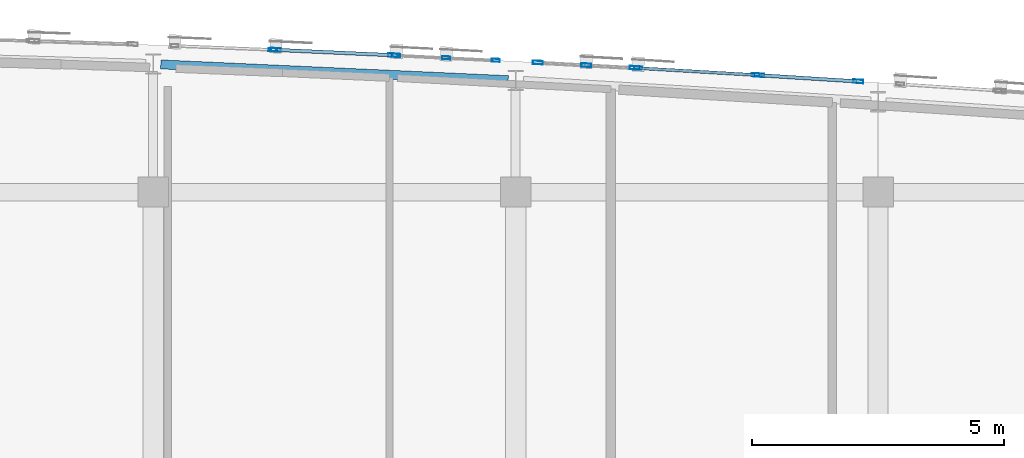
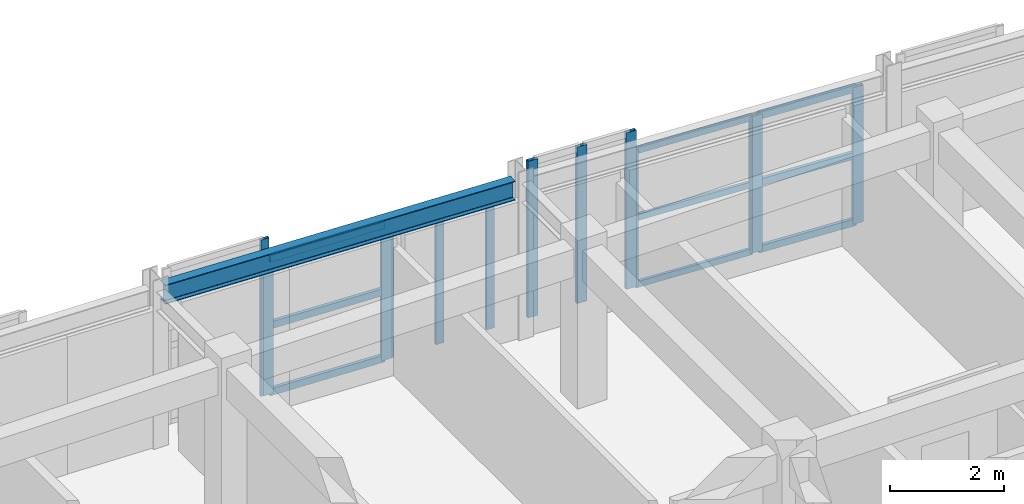
# One storey, part 21 of 48: 22 members, 1 beam, 6 elements without a shape of their own.
"""IFC4 building model written with IfcOpenShell, lengths in metres."""

from ifc_helpers import new_model, si_unit, direction, frame, origin, origin_2d, place, context, subcontext, project, spatial, hollow_rectangle, i_section, extrude, material, layer, layer_set, material_profile, profile_set, type_object, element, aggregate, save


model = new_model("IFC4")

# Units and contexts
model_context = context("Model", 3, precision=1e-05, world=origin(), true_north=direction((0.0, 1.0)))
body_context = subcontext(model_context, "Body", "Model", "MODEL_VIEW")
ifc_project = project(units=[si_unit("LENGTHUNIT", "METRE"), si_unit("AREAUNIT", "SQUARE_METRE"), si_unit("VOLUMEUNIT", "CUBIC_METRE"), si_unit("PLANEANGLEUNIT", "RADIAN"), si_unit("MASSUNIT", "GRAM", prefix="KILO")], contexts=[model_context])

# Site, building, storey
site_placement = place(None, origin())
site = spatial("IfcSite", under=ifc_project, at=site_placement, CompositionType="ELEMENT")
building_placement = place(site_placement, origin())
building = spatial("IfcBuilding", under=site, at=building_placement, Name="Carrowvane Square Congress Hotel", CompositionType="ELEMENT")
storey_placement = place(building_placement, frame((0.0, 0.0, 26.39990234375)))
storey = spatial("IfcBuildingStorey", under=building, at=storey_placement, Name="L06", CompositionType="ELEMENT", Elevation=26.39990234375)

# Beam
ifc_material_1 = material(Name="Steel S355", Category="steel")
ifc_material_profile_1 = material_profile(ifc_material_1, i_section(OverallWidth=0.1787109375, OverallDepth=0.409423828125, WebThickness=0.0087890625, FlangeThickness=0.014404296875, FilletRadius=0.01025390625, at=origin_2d()), Name="UKB 406x178x67")
ifc_profile_set_1 = profile_set([ifc_material_profile_1], Name="Steel S355")
beam_type = type_object("IfcBeamType", Name="BM-ST-UKB406", PredefinedType="BEAM", material=ifc_profile_set_1)
beam_placement = place(storey_placement, frame((112.5498046875, 115.937255859375, 3.1455078125), z_axis=(0.998974507316, -0.045276193882, 0.0), x_axis=(0.045276193882, 0.998974507316, 0.0)))
element("IfcBeam", 1, at=beam_placement, inside=storey, type_object=beam_type, Name="L07 curved north spandrel", PredefinedType="BEAM", context=body_context, shape_type="SweptSolid", body=[
    extrude(i_section(OverallWidth=0.1787109375, OverallDepth=0.409423828125, WebThickness=0.0087890625, FlangeThickness=0.014404296875, FilletRadius=0.01025390625, at=origin_2d()), origin(), (0.0, 0.0, 1.0), 6.907470703125),
])

# Curtain wall, member
ifc_material_2 = material(Name="Anodised aluminium", Category="aluminium")
ifc_layer_1 = layer(ifc_material_2, 0.2099609375)
ifc_layer_set_1 = layer_set([ifc_layer_1], Name="Anodised aluminium")
curtain_wall_type_1 = type_object("IfcCurtainWallType", Name="CW-SYS-5", PredefinedType="NOTDEFINED", material=ifc_layer_set_1)
curtain_wall_1_placement = place(storey_placement, origin())
curtain_wall_1 = element("IfcCurtainWall", 2, at=curtain_wall_1_placement, inside=storey, type_object=curtain_wall_type_1, Name="L06 unitised curtain wall 388", PredefinedType="NOTDEFINED")
ifc_material_3 = material(Name="Anodised aluminium", Category="aluminium")
ifc_material_profile_2 = material_profile(ifc_material_3, hollow_rectangle(XDim=0.06005859375, YDim=0.159912109375, WallThickness=0.00390625, at=origin_2d()), Name="CW-ML 60x160x4")
ifc_profile_set_2 = profile_set([ifc_material_profile_2], Name="Anodised aluminium")
member_type_1 = type_object("IfcMemberType", Name="CW-MUL-1", PredefinedType="MULLION", material=ifc_profile_set_2)
member_1_placement = place(storey_placement, frame((114.77001953125, 116.228759765625, 0.0), z_axis=(0.0, 0.0, 1.0), x_axis=(0.040130957403, 0.999194428656, 0.0)))
member_1 = element("IfcMember", 3, at=member_1_placement, type_object=member_type_1, Name="CW-5 mullion 2", PredefinedType="MULLION", context=body_context, shape_type="SweptSolid", body=[
    extrude(hollow_rectangle(XDim=0.06005859375, YDim=0.159912109375, WallThickness=0.00390625, at=origin_2d()), origin(), (0.0, 0.0, 1.0), 3.35009765625),
])
aggregate(curtain_wall_1, [member_1])

# Curtain wall, members
ifc_material_4 = material(Name="Anodised aluminium", Category="aluminium")
ifc_layer_2 = layer(ifc_material_4, 0.23388671875)
ifc_layer_set_2 = layer_set([ifc_layer_2], Name="Anodised aluminium")
curtain_wall_type_2 = type_object("IfcCurtainWallType", Name="CW-SYS-7", PredefinedType="NOTDEFINED", material=ifc_layer_set_2)
curtain_wall_2_placement = place(storey_placement, origin())
curtain_wall_2 = element("IfcCurtainWall", 4, at=curtain_wall_2_placement, inside=storey, type_object=curtain_wall_type_2, Name="L06 unitised curtain wall 390", PredefinedType="NOTDEFINED")
member_2_placement = place(storey_placement, frame((117.22998046875, 116.116943359375, 0.0), z_axis=(0.0, 0.0, 1.0), x_axis=(0.050323791596, 0.998732955299, 0.0)))
member_2 = element("IfcMember", 5, at=member_2_placement, type_object=member_type_1, Name="CW-7 mullion 1", PredefinedType="MULLION", context=body_context, shape_type="SweptSolid", body=[
    extrude(hollow_rectangle(XDim=0.06005859375, YDim=0.159912109375, WallThickness=0.00390625, at=origin_2d()), origin(), (0.0, 0.0, 1.0), 2.92578125),
])
member_3_placement = place(storey_placement, frame((118.2177734375, 116.067138671875, 0.0), z_axis=(0.0, 0.0, 1.0), x_axis=(0.050323791596, 0.998732955299, 0.0)))
member_3 = element("IfcMember", 6, at=member_3_placement, type_object=member_type_1, Name="CW-7 mullion 2", PredefinedType="MULLION", context=body_context, shape_type="SweptSolid", body=[
    extrude(hollow_rectangle(XDim=0.06005859375, YDim=0.159912109375, WallThickness=0.00390625, at=origin_2d()), origin(), (0.0, 0.0, 1.0), 2.92578125),
])
member_4_placement = place(storey_placement, frame((119.20556640625, 116.017578125, 0.0), z_axis=(0.0, 0.0, 1.0), x_axis=(0.050323791596, 0.998732955299, 0.0)))
member_4 = element("IfcMember", 7, at=member_4_placement, type_object=member_type_1, Name="CW-7 mullion 3", PredefinedType="MULLION", context=body_context, shape_type="SweptSolid", body=[
    extrude(hollow_rectangle(XDim=0.06005859375, YDim=0.159912109375, WallThickness=0.00390625, at=origin_2d()), origin(), (0.0, 0.0, 1.0), 2.92578125),
])
aggregate(curtain_wall_2, [member_2, member_3, member_4])

ifc_material_5 = material(Name="Anodised aluminium", Category="aluminium")
ifc_layer_3 = layer(ifc_material_5, 0.162109375)
ifc_layer_set_3 = layer_set([ifc_layer_3], Name="Anodised aluminium")
curtain_wall_type_3 = type_object("IfcCurtainWallType", Name="CW-SYS-1", PredefinedType="NOTDEFINED", material=ifc_layer_set_3)
curtain_wall_3_placement = place(storey_placement, origin())
curtain_wall_3 = element("IfcCurtainWall", 8, at=curtain_wall_3_placement, inside=storey, type_object=curtain_wall_type_3, Name="L06 unitised curtain wall 392", PredefinedType="NOTDEFINED")
member_5_placement = place(storey_placement, frame((122.030029296875, 115.864013671875, 0.0), z_axis=(0.0, 0.0, 1.0), x_axis=(0.058851249486, 0.998266763162, 0.0)))
member_5 = element("IfcMember", 9, at=member_5_placement, type_object=member_type_1, Name="CW-1 mullion 1", PredefinedType="MULLION", context=body_context, shape_type="SweptSolid", body=[
    extrude(hollow_rectangle(XDim=0.06005859375, YDim=0.159912109375, WallThickness=0.00390625, at=origin_2d()), origin(), (0.0, 0.0, 1.0), 2.92578125),
])
member_6_placement = place(storey_placement, frame((124.3701171875, 115.72607421875, 0.0), z_axis=(0.0, 0.0, 1.0), x_axis=(0.058851249486, 0.998266763162, 0.0)))
member_6 = element("IfcMember", 10, at=member_6_placement, type_object=member_type_1, Name="CW-1 mullion 2", PredefinedType="MULLION", context=body_context, shape_type="SweptSolid", body=[
    extrude(hollow_rectangle(XDim=0.06005859375, YDim=0.159912109375, WallThickness=0.00390625, at=origin_2d()), origin(), (0.0, 0.0, 1.0), 2.92578125),
])

ifc_material_6 = material(Name="Anodised aluminium", Category="aluminium")
ifc_layer_4 = layer(ifc_material_6, 0.221923828125)
ifc_layer_set_4 = layer_set([ifc_layer_4], Name="Anodised aluminium")
curtain_wall_type_4 = type_object("IfcCurtainWallType", Name="CW-SYS-6", PredefinedType="NOTDEFINED", material=ifc_layer_set_4)
curtain_wall_4_placement = place(storey_placement, origin())
curtain_wall_4 = element("IfcCurtainWall", 11, at=curtain_wall_4_placement, inside=storey, type_object=curtain_wall_type_4, Name="L06 unitised curtain wall 389", PredefinedType="NOTDEFINED")
ifc_material_7 = material(Name="Anodised aluminium", Category="aluminium")
ifc_material_profile_3 = material_profile(ifc_material_7, hollow_rectangle(XDim=0.070068359375, YDim=0.199951171875, WallThickness=0.0048828125, at=origin_2d()), Name="CW-ML 70x200x5")
ifc_profile_set_3 = profile_set([ifc_material_profile_3], Name="Anodised aluminium")
member_type_2 = type_object("IfcMemberType", Name="CW-MUL-2", PredefinedType="MULLION", material=ifc_profile_set_3)
member_7_placement = place(storey_placement, frame((114.8349609375, 116.22607421875, 0.0), z_axis=(0.0, 0.0, 1.0), x_axis=(0.045411059449, 0.998968385726, 0.0)))
member_7 = element("IfcMember", 12, at=member_7_placement, type_object=member_type_2, Name="CW-6 mullion 1", PredefinedType="MULLION", context=body_context, shape_type="SweptSolid", body=[
    extrude(hollow_rectangle(XDim=0.070068359375, YDim=0.199951171875, WallThickness=0.0048828125, at=origin_2d()), origin(), (0.0, 0.0, 1.0), 2.92578125),
])
member_8_placement = place(storey_placement, frame((117.1650390625, 116.1201171875, 0.0), z_axis=(0.0, 0.0, 1.0), x_axis=(0.045411059449, 0.998968385726, 0.0)))
member_8 = element("IfcMember", 13, at=member_8_placement, type_object=member_type_2, Name="CW-6 mullion 2", PredefinedType="MULLION", context=body_context, shape_type="SweptSolid", body=[
    extrude(hollow_rectangle(XDim=0.070068359375, YDim=0.199951171875, WallThickness=0.0048828125, at=origin_2d()), origin(), (0.0, 0.0, 1.0), 2.92578125),
])

ifc_material_8 = material(Name="Anodised aluminium", Category="aluminium")
ifc_layer_5 = layer(ifc_material_8, 0.24609375)
ifc_layer_set_5 = layer_set([ifc_layer_5], Name="Anodised aluminium")
curtain_wall_type_5 = type_object("IfcCurtainWallType", Name="CW-SYS-8", PredefinedType="NOTDEFINED", material=ifc_layer_set_5)
curtain_wall_5_placement = place(storey_placement, origin())
curtain_wall_5 = element("IfcCurtainWall", 14, at=curtain_wall_5_placement, inside=storey, type_object=curtain_wall_type_5, Name="L06 unitised curtain wall 391", PredefinedType="NOTDEFINED")
member_9_placement = place(storey_placement, frame((120.03955078125, 115.973388671875, 0.0), z_axis=(0.0, 0.0, 1.0), x_axis=(0.054815980317, 0.998496473856, 0.0)))
member_9 = element("IfcMember", 15, at=member_9_placement, type_object=member_type_2, Name="CW-8 mullion 1", PredefinedType="MULLION", context=body_context, shape_type="SweptSolid", body=[
    extrude(hollow_rectangle(XDim=0.070068359375, YDim=0.199951171875, WallThickness=0.0048828125, at=origin_2d()), origin(), (0.0, 0.0, 1.0), 3.35009765625),
])
member_10_placement = place(storey_placement, frame((121.002197265625, 115.920654296875, 0.0), z_axis=(0.0, 0.0, 1.0), x_axis=(0.054815980317, 0.998496473856, 0.0)))
member_10 = element("IfcMember", 16, at=member_10_placement, type_object=member_type_2, Name="CW-8 mullion 2", PredefinedType="MULLION", context=body_context, shape_type="SweptSolid", body=[
    extrude(hollow_rectangle(XDim=0.070068359375, YDim=0.199951171875, WallThickness=0.0048828125, at=origin_2d()), origin(), (0.0, 0.0, 1.0), 3.35009765625),
])
member_11_placement = place(storey_placement, frame((121.965087890625, 115.86767578125, 0.0), z_axis=(0.0, 0.0, 1.0), x_axis=(0.054815980317, 0.998496473856, 0.0)))
member_11 = element("IfcMember", 17, at=member_11_placement, type_object=member_type_2, Name="CW-8 mullion 3", PredefinedType="MULLION", context=body_context, shape_type="SweptSolid", body=[
    extrude(hollow_rectangle(XDim=0.070068359375, YDim=0.199951171875, WallThickness=0.0048828125, at=origin_2d()), origin(), (0.0, 0.0, 1.0), 3.35009765625),
])
aggregate(curtain_wall_5, [member_9, member_10, member_11])

ifc_material_9 = material(Name="Anodised aluminium", Category="aluminium")
ifc_layer_6 = layer(ifc_material_9, 0.174072265625)
ifc_layer_set_6 = layer_set([ifc_layer_6], Name="Anodised aluminium")
curtain_wall_type_6 = type_object("IfcCurtainWallType", Name="CW-SYS-2", PredefinedType="NOTDEFINED", material=ifc_layer_set_6)
curtain_wall_6_placement = place(storey_placement, origin())
curtain_wall_6 = element("IfcCurtainWall", 18, at=curtain_wall_6_placement, inside=storey, type_object=curtain_wall_type_6, Name="L06 unitised curtain wall 393", PredefinedType="NOTDEFINED")
member_12_placement = place(storey_placement, frame((124.434814453125, 115.72216796875, 0.0), z_axis=(0.0, 0.0, 1.0), x_axis=(0.062397170272, 0.998051398046, 0.0)))
member_12 = element("IfcMember", 19, at=member_12_placement, type_object=member_type_2, Name="CW-2 mullion 1", PredefinedType="MULLION", context=body_context, shape_type="SweptSolid", body=[
    extrude(hollow_rectangle(XDim=0.070068359375, YDim=0.199951171875, WallThickness=0.0048828125, at=origin_2d()), origin(), (0.0, 0.0, 1.0), 2.92578125),
])
member_13_placement = place(storey_placement, frame((126.405029296875, 115.598876953125, 0.0), z_axis=(0.0, 0.0, 1.0), x_axis=(0.062397170272, 0.998051398046, 0.0)))
member_13 = element("IfcMember", 20, at=member_13_placement, type_object=member_type_2, Name="CW-2 mullion 2", PredefinedType="MULLION", context=body_context, shape_type="SweptSolid", body=[
    extrude(hollow_rectangle(XDim=0.070068359375, YDim=0.199951171875, WallThickness=0.0048828125, at=origin_2d()), origin(), (0.0, 0.0, 1.0), 2.92578125),
])

# Member
ifc_material_10 = material(Name="Anodised aluminium", Category="aluminium")
ifc_material_profile_4 = material_profile(ifc_material_10, hollow_rectangle(XDim=0.06005859375, YDim=0.1298828125, WallThickness=0.00390625, at=origin_2d()), Name="CW-TR 60x130x4")
ifc_profile_set_4 = profile_set([ifc_material_profile_4], Name="Anodised aluminium")
member_type_3 = type_object("IfcMemberType", Name="CW-TRN-1", PredefinedType="USERDEFINED", material=ifc_profile_set_4)
member_14_placement = place(storey_placement, frame((122.059814453125, 115.8623046875, 0.030029296875), z_axis=(0.998264407893, -0.058891187232, 0.0), x_axis=(0.058891187232, 0.998264407893, 0.0)))
member_14 = element("IfcMember", 21, at=member_14_placement, type_object=member_type_3, Name="CW-1 transom 1.1", ObjectType="TRANSOM", PredefinedType="USERDEFINED", context=body_context, shape_type="SweptSolid", body=[
    extrude(hollow_rectangle(XDim=0.06005859375, YDim=0.1298828125, WallThickness=0.00390625, at=origin_2d()), origin(), (0.0, 0.0, 1.0), 2.2841796875),
])

member_15_placement = place(storey_placement, frame((122.059814453125, 115.8623046875, 1.462890625), z_axis=(0.998264407893, -0.058891187232, 0.0), x_axis=(0.058891187232, 0.998264407893, 0.0)))
member_15 = element("IfcMember", 22, at=member_15_placement, type_object=member_type_3, Name="CW-1 transom 1.2", ObjectType="TRANSOM", PredefinedType="USERDEFINED", context=body_context, shape_type="SweptSolid", body=[
    extrude(hollow_rectangle(XDim=0.06005859375, YDim=0.1298828125, WallThickness=0.00390625, at=origin_2d()), origin(), (0.0, 0.0, 1.0), 2.2841796875),
])

member_16_placement = place(storey_placement, frame((122.059814453125, 115.8623046875, 2.895751953125), z_axis=(0.998264407893, -0.058891187232, 0.0), x_axis=(0.058891187232, 0.998264407893, 0.0)))
member_16 = element("IfcMember", 23, at=member_16_placement, type_object=member_type_3, Name="CW-1 transom 1.3", ObjectType="TRANSOM", PredefinedType="USERDEFINED", context=body_context, shape_type="SweptSolid", body=[
    extrude(hollow_rectangle(XDim=0.06005859375, YDim=0.1298828125, WallThickness=0.00390625, at=origin_2d()), origin(), (0.0, 0.0, 1.0), 2.2841796875),
])

aggregate(curtain_wall_3, [member_5, member_6, member_14, member_15, member_16])

ifc_material_11 = material(Name="Anodised aluminium", Category="aluminium")
ifc_material_profile_5 = material_profile(ifc_material_11, hollow_rectangle(XDim=0.070068359375, YDim=0.14990234375, WallThickness=0.0048828125, at=origin_2d()), Name="CW-TR 70x150x5")
ifc_profile_set_5 = profile_set([ifc_material_profile_5], Name="Anodised aluminium")
member_type_4 = type_object("IfcMemberType", Name="CW-TRN-2", PredefinedType="USERDEFINED", material=ifc_profile_set_5)
member_17_placement = place(storey_placement, frame((114.869873046875, 116.224365234375, 0.03515625), z_axis=(0.998967650095, -0.045427239219, 0.0), x_axis=(0.045427239219, 0.998967650095, 0.0)))
member_17 = element("IfcMember", 24, at=member_17_placement, type_object=member_type_4, Name="CW-6 transom 1.1", ObjectType="TRANSOM", PredefinedType="USERDEFINED", context=body_context, shape_type="SweptSolid", body=[
    extrude(hollow_rectangle(XDim=0.070068359375, YDim=0.14990234375, WallThickness=0.0048828125, at=origin_2d()), origin(), (0.0, 0.0, 1.0), 2.2626953125),
])

member_18_placement = place(storey_placement, frame((114.869873046875, 116.224365234375, 1.462890625), z_axis=(0.998967650095, -0.045427239219, 0.0), x_axis=(0.045427239219, 0.998967650095, 0.0)))
member_18 = element("IfcMember", 25, at=member_18_placement, type_object=member_type_4, Name="CW-6 transom 1.2", ObjectType="TRANSOM", PredefinedType="USERDEFINED", context=body_context, shape_type="SweptSolid", body=[
    extrude(hollow_rectangle(XDim=0.070068359375, YDim=0.14990234375, WallThickness=0.0048828125, at=origin_2d()), origin(), (0.0, 0.0, 1.0), 2.2626953125),
])

member_19_placement = place(storey_placement, frame((114.869873046875, 116.224365234375, 2.890625), z_axis=(0.998967650095, -0.045427239219, 0.0), x_axis=(0.045427239219, 0.998967650095, 0.0)))
member_19 = element("IfcMember", 26, at=member_19_placement, type_object=member_type_4, Name="CW-6 transom 1.3", ObjectType="TRANSOM", PredefinedType="USERDEFINED", context=body_context, shape_type="SweptSolid", body=[
    extrude(hollow_rectangle(XDim=0.070068359375, YDim=0.14990234375, WallThickness=0.0048828125, at=origin_2d()), origin(), (0.0, 0.0, 1.0), 2.2626953125),
])

aggregate(curtain_wall_4, [member_7, member_8, member_17, member_18, member_19])

member_20_placement = place(storey_placement, frame((124.469970703125, 115.719970703125, 0.03515625), z_axis=(0.998048085199, -0.062450137157, 0.0), x_axis=(0.062450137157, 0.998048085199, 0.0)))
member_20 = element("IfcMember", 27, at=member_20_placement, type_object=member_type_4, Name="CW-2 transom 1.1", ObjectType="TRANSOM", PredefinedType="USERDEFINED", context=body_context, shape_type="SweptSolid", body=[
    extrude(hollow_rectangle(XDim=0.070068359375, YDim=0.14990234375, WallThickness=0.0048828125, at=origin_2d()), origin(), (0.0, 0.0, 1.0), 1.90380859375),
])

member_21_placement = place(storey_placement, frame((124.469970703125, 115.719970703125, 1.462890625), z_axis=(0.998048085199, -0.062450137157, 0.0), x_axis=(0.062450137157, 0.998048085199, 0.0)))
member_21 = element("IfcMember", 28, at=member_21_placement, type_object=member_type_4, Name="CW-2 transom 1.2", ObjectType="TRANSOM", PredefinedType="USERDEFINED", context=body_context, shape_type="SweptSolid", body=[
    extrude(hollow_rectangle(XDim=0.070068359375, YDim=0.14990234375, WallThickness=0.0048828125, at=origin_2d()), origin(), (0.0, 0.0, 1.0), 1.90380859375),
])

member_22_placement = place(storey_placement, frame((124.469970703125, 115.719970703125, 2.890625), z_axis=(0.998048085199, -0.062450137157, 0.0), x_axis=(0.062450137157, 0.998048085199, 0.0)))
member_22 = element("IfcMember", 29, at=member_22_placement, type_object=member_type_4, Name="CW-2 transom 1.3", ObjectType="TRANSOM", PredefinedType="USERDEFINED", context=body_context, shape_type="SweptSolid", body=[
    extrude(hollow_rectangle(XDim=0.070068359375, YDim=0.14990234375, WallThickness=0.0048828125, at=origin_2d()), origin(), (0.0, 0.0, 1.0), 1.90380859375),
])

aggregate(curtain_wall_6, [member_12, member_13, member_20, member_21, member_22])

save(model, "model.ifc")
